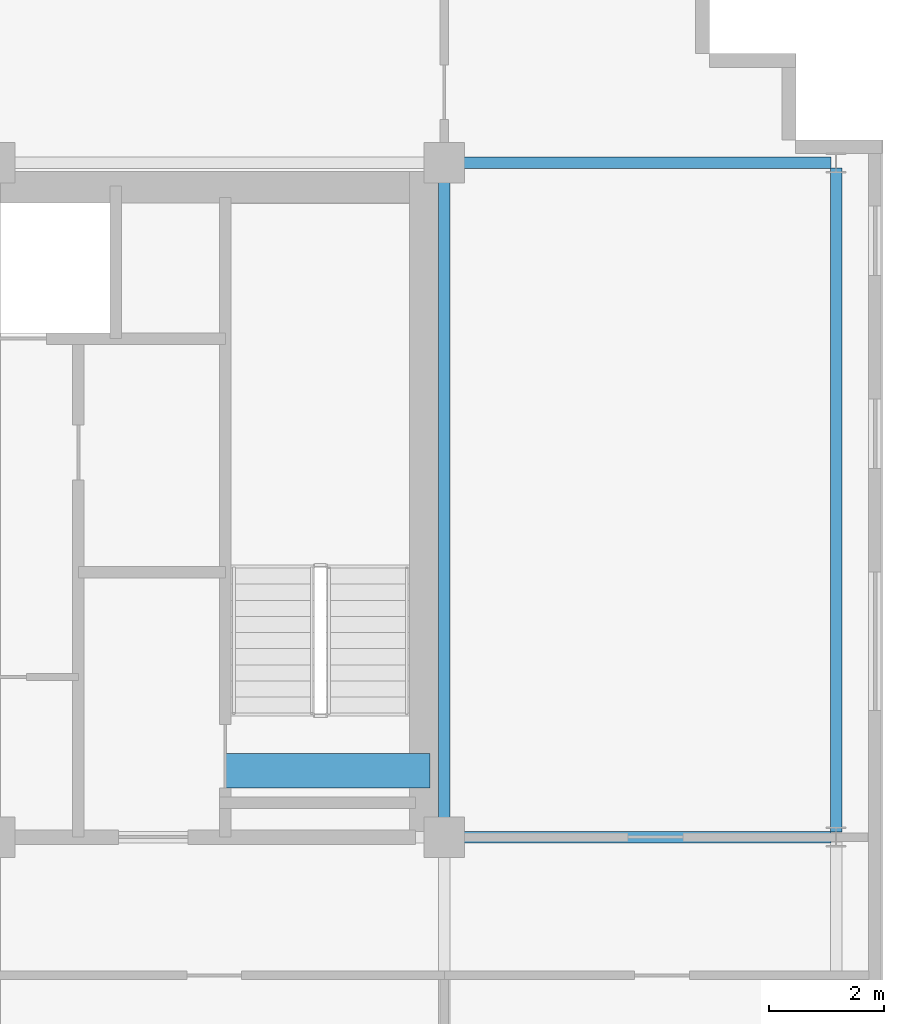
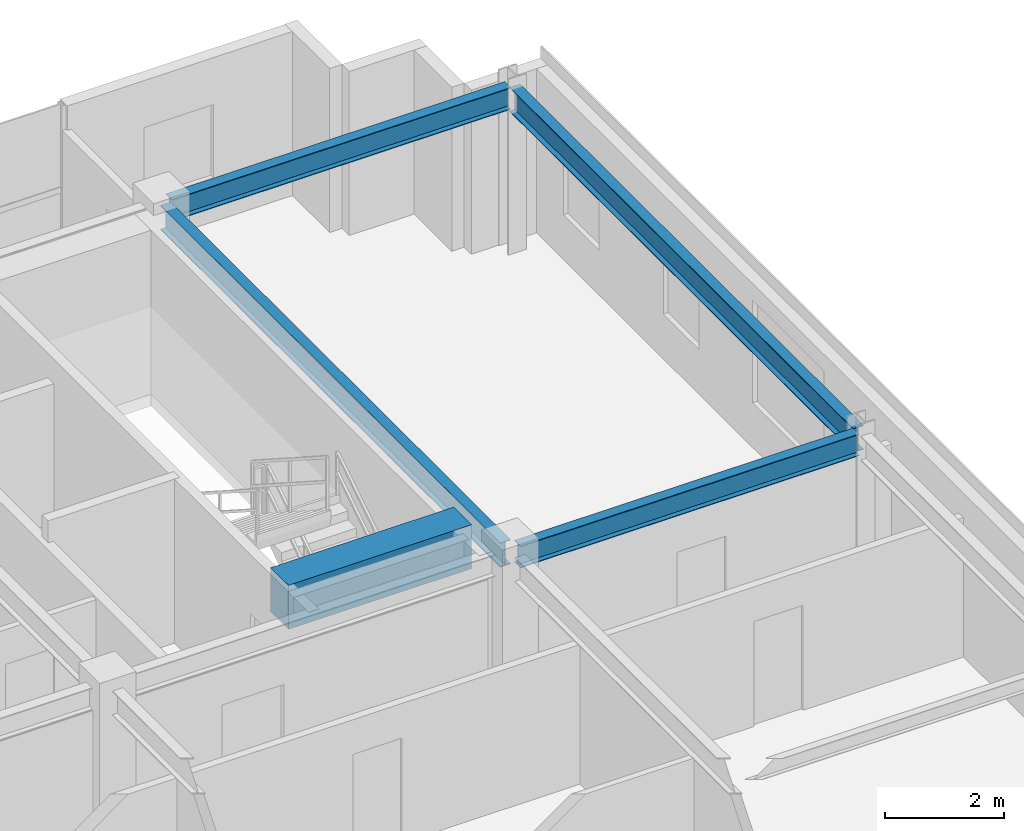
# One storey, part 17 of 27: 5 beams.
"""IFC4 building model written with IfcOpenShell, lengths in metres."""

import ifcopenshell
import ifcopenshell.guid

model = None  # the IFC model being written
_history = None  # IfcOwnerHistory: only IFC2X3 demands one
_inside = {}  # id of a spatial element -> (the spatial element, [elements in it])
_under = {}  # id of a project, library or spatial element -> (it, [spatial elements below it])
_declared = {}  # id of a project -> (the project, [libraries it declares])
_typed = {}  # id of a type object -> (the type object, [elements of that type])
_made_of = {}  # id of a material, layer set ... -> (it, [elements and type objects made of it])


def new_model(schema):
    """Start an empty IFC model of exactly this schema.

    Asked for "IFC4X3", IfcOpenShell would pick the latest addendum, in which some entities
    have other attributes; the version numbers below select the first issue.
    IFC2X3 requires an IfcOwnerHistory on every rooted entity: one is made here for all.
    """
    global model, _history
    if schema == "IFC4X3":
        model = ifcopenshell.file(schema_version=(4, 3, 0, 0))
    else:
        model = ifcopenshell.file(schema=schema)
    _inside.clear()
    _under.clear()
    _declared.clear()
    _typed.clear()
    _made_of.clear()
    _history = None
    if model.schema == "IFC2X3":
        org = make("IfcOrganization", Name="unknown")
        user = make(
            "IfcPersonAndOrganization",
            ThePerson=make("IfcPerson", FamilyName="unknown"),
            TheOrganization=org,
        )
        app = make(
            "IfcApplication",
            ApplicationDeveloper=org,
            Version="unknown",
            ApplicationFullName="unknown",
            ApplicationIdentifier="unknown",
        )
        _history = make(
            "IfcOwnerHistory",
            OwningUser=user,
            OwningApplication=app,
            ChangeAction="ADDED",
            CreationDate=0,
        )
    return model


def make(cls, **values):
    """One entity of the class cls with the attributes given. An attribute that is None is left unset."""
    return model.create_entity(
        cls, **{name: value for name, value in values.items() if value is not None}
    )


def rooted(cls, **values):
    """An entity with a GlobalId (a new one), such as an element, a storey or a relation."""
    return make(cls, GlobalId=ifcopenshell.guid.new(), OwnerHistory=_history, **values)


def si_unit(unit_type, name, prefix=None):
    """IfcSIUnit, for example si_unit("LENGTHUNIT", "METRE", prefix="MILLI")."""
    return make("IfcSIUnit", UnitType=unit_type, Prefix=prefix, Name=name)


def assignment(units):
    """IfcUnitAssignment: the units of a project."""
    return None if units is None else make("IfcUnitAssignment", Units=units)


def point(xyz):
    """IfcCartesianPoint."""
    return None if xyz is None else make("IfcCartesianPoint", Coordinates=xyz)


def direction(xyz):
    """IfcDirection."""
    return None if xyz is None else make("IfcDirection", DirectionRatios=xyz)


def frame(location, z_axis=None, x_axis=None):
    """IfcAxis2Placement3D, a coordinate frame: its origin and axes. An axis left out is left unset."""
    return make(
        "IfcAxis2Placement3D",
        Location=point(location),
        Axis=direction(z_axis),
        RefDirection=direction(x_axis),
    )


def frame_2d(location, x_axis=None):
    """IfcAxis2Placement2D, a coordinate frame in the plane: its origin and x axis."""
    return make(
        "IfcAxis2Placement2D", Location=point(location), RefDirection=direction(x_axis)
    )


def origin():
    """The frame at (0, 0, 0) with its axes left unset."""
    return frame((0.0, 0.0, 0.0))


def origin_2d():
    """The frame at (0, 0) in the plane with its x axis left unset."""
    return frame_2d((0.0, 0.0))


def place(relative_to, where):
    """IfcLocalPlacement: puts the frame where relative to a parent placement (None: the world)."""
    return make(
        "IfcLocalPlacement", PlacementRelTo=relative_to, RelativePlacement=where
    )


def context(
    kind, dimensions, precision=None, world=None, true_north=None, identifier=None
):
    """IfcGeometricRepresentationContext, for example the 3D "Model" context."""
    return make(
        "IfcGeometricRepresentationContext",
        ContextIdentifier=identifier,
        ContextType=kind,
        CoordinateSpaceDimension=dimensions,
        Precision=precision,
        WorldCoordinateSystem=world,
        TrueNorth=true_north,
    )


def subcontext(parent, identifier, kind, view, scale=None):
    """IfcGeometricRepresentationSubContext, for example "Body" below "Model"."""
    return make(
        "IfcGeometricRepresentationSubContext",
        ContextIdentifier=identifier,
        ContextType=kind,
        ParentContext=parent,
        TargetScale=scale,
        TargetView=view,
    )


def project(units=None, contexts=None):
    """IfcProject with its units and contexts."""
    return rooted(
        "IfcProject",
        Name="project",
        RepresentationContexts=contexts,
        UnitsInContext=assignment(units),
    )


def spatial(cls, under=None, at=None, **own):
    """A site, building, storey or space (cls), placed at a placement, below another one or the project."""
    s = rooted(cls, ObjectPlacement=at, **own)
    if under is not None:
        _under.setdefault(under.id(), (under, []))[1].append(s)
    return s


def profile(cls, at=None, kind="AREA", **sizes):
    """A parametric profile (cls). Its sizes go by their IFC names, for example OverallWidth=200.0."""
    return make(cls, ProfileType=kind, Position=at, **sizes)


def rectangle(**sizes):
    """IfcRectangleProfileDef."""
    return profile("IfcRectangleProfileDef", **sizes)


def i_section(**sizes):
    """IfcIShapeProfileDef."""
    return profile("IfcIShapeProfileDef", **sizes)


def extrude(swept, where, along, depth):
    """IfcExtrudedAreaSolid: the profile swept, set in the frame where, extruded along a direction by depth."""
    return make(
        "IfcExtrudedAreaSolid",
        SweptArea=swept,
        Position=where,
        ExtrudedDirection=direction(along),
        Depth=depth,
    )


def shape(context_of_items, identifier, shape_type, items):
    """IfcShapeRepresentation: the items that make up one representation, for example the "Body"."""
    return make(
        "IfcShapeRepresentation",
        ContextOfItems=context_of_items,
        RepresentationIdentifier=identifier,
        RepresentationType=shape_type,
        Items=items,
    )


def source(mapping_origin, context_of_items, identifier, shape_type, items):
    """IfcRepresentationMap: a shape defined once, which mapped items show again and again."""
    return make(
        "IfcRepresentationMap",
        MappingOrigin=mapping_origin,
        MappedRepresentation=shape(context_of_items, identifier, shape_type, items),
    )


def transform(
    local_origin,
    x_axis=None,
    y_axis=None,
    z_axis=None,
    scale=None,
    scale2=None,
    scale3=None,
    uniform=True,
):
    """IfcCartesianTransformationOperator3D, or its non-uniform kind. x_axis, y_axis, z_axis: its Axis1, 2, 3."""
    if uniform:
        return make(
            "IfcCartesianTransformationOperator3D",
            Axis1=direction(x_axis),
            Axis2=direction(y_axis),
            LocalOrigin=point(local_origin),
            Scale=scale,
            Axis3=direction(z_axis),
        )
    return make(
        "IfcCartesianTransformationOperator3DnonUniform",
        Axis1=direction(x_axis),
        Axis2=direction(y_axis),
        LocalOrigin=point(local_origin),
        Scale=scale,
        Axis3=direction(z_axis),
        Scale2=scale2,
        Scale3=scale3,
    )


def mapped(mapping_source, mapping_target):
    """IfcMappedItem: shows the shape of a source again, moved by a transform."""
    return make(
        "IfcMappedItem", MappingSource=mapping_source, MappingTarget=mapping_target
    )


def material(Name=None, Category=None):
    """IfcMaterial."""
    return make("IfcMaterial", Name=Name, Category=Category)


def material_profile(
    of_material, cross_section, Name=None, Category=None, Priority=None
):
    """IfcMaterialProfile: a cross section and its material."""
    return make(
        "IfcMaterialProfile",
        Name=Name,
        Material=of_material,
        Profile=cross_section,
        Priority=Priority,
        Category=Category,
    )


def profile_set(profiles, Name=None, composite=None):
    """IfcMaterialProfileSet."""
    return make(
        "IfcMaterialProfileSet",
        Name=Name,
        MaterialProfiles=profiles,
        CompositeProfile=composite,
    )


def made_of(thing, what):
    """Note that an element or type object is made of a material, layer set ...; save() writes the relation."""
    if what is not None:
        _made_of.setdefault(what.id(), (what, []))[1].append(thing)
    return thing


def type_object(cls, material=None, **own):
    """A type object (cls), such as IfcWallType, which elements share."""
    return made_of(rooted(cls, **own), material)


def element(
    cls,
    number,
    at=None,
    inside=None,
    cuts=None,
    type_object=None,
    material=None,
    context=None,
    identifier="Body",
    shape_type=None,
    held_by="IfcProductDefinitionShape",
    body=None,
    shapes=None,
    **own,
):
    """One element of the class cls, such as IfcWall. Its Tag is "e" and its number.

    at: its placement. inside: the storey or other place that contains it. cuts: it is an
    opening in that element (IfcRelVoidsElement). A single representation is given by context,
    identifier, shape_type and body (its items); several are given by shapes. held_by: the class
    of the entity that holds the representations. save() writes the other relations.
    """
    e = rooted(cls, Tag="e%d" % number, ObjectPlacement=at, **own)
    if body is not None:
        shapes = [shape(context, identifier, shape_type, body)]
    if shapes is not None:
        e.Representation = make(held_by, Representations=shapes)
    if inside is not None:
        _inside.setdefault(inside.id(), (inside, []))[1].append(e)
    if cuts is not None:
        rooted(
            "IfcRelVoidsElement", RelatingBuildingElement=cuts, RelatedOpeningElement=e
        )
    if type_object is not None:
        _typed.setdefault(type_object.id(), (type_object, []))[1].append(e)
    return made_of(e, material)


def aggregate(whole, parts):
    """IfcRelAggregates: a whole, such as a stair, and the parts it consists of."""
    return rooted("IfcRelAggregates", RelatingObject=whole, RelatedObjects=parts)


def save(model, path):
    """Write the relations noted so far, then the file.

    IfcRelAggregates (storeys below a building ...), IfcRelContainedInSpatialStructure (elements
    in a storey), IfcRelDefinesByType, IfcRelAssociatesMaterial and IfcRelDeclares: one each for
    every whole, place, type object, material and project.
    """
    for whole, parts in _under.values():
        aggregate(whole, parts)
    for where, things in _inside.values():
        rooted(
            "IfcRelContainedInSpatialStructure",
            RelatedElements=things,
            RelatingStructure=where,
        )
    for kind, things in _typed.values():
        rooted("IfcRelDefinesByType", RelatedObjects=things, RelatingType=kind)
    for what, things in _made_of.values():
        rooted("IfcRelAssociatesMaterial", RelatedObjects=things, RelatingMaterial=what)
    for by, libraries in _declared.values():
        rooted("IfcRelDeclares", RelatingContext=by, RelatedDefinitions=libraries)
    model.write(path)


model = new_model("IFC4")

# Units and contexts
model_context = context("Model", 3, precision=1e-05, world=origin(), true_north=direction((0.0, 1.0)))
body_context = subcontext(model_context, "Body", "Model", "MODEL_VIEW")
ifc_project = project(units=[si_unit("LENGTHUNIT", "METRE"), si_unit("AREAUNIT", "SQUARE_METRE"), si_unit("VOLUMEUNIT", "CUBIC_METRE"), si_unit("PLANEANGLEUNIT", "RADIAN"), si_unit("MASSUNIT", "GRAM", prefix="KILO")], contexts=[model_context])

# Site, building, storey
site_placement = place(None, origin())
site = spatial("IfcSite", under=ifc_project, at=site_placement, CompositionType="ELEMENT")
building_placement = place(site_placement, origin())
building = spatial("IfcBuilding", under=site, at=building_placement, Name="Trelvane Seafront Commons", CompositionType="ELEMENT")
storey_placement = place(building_placement, frame((0.0, 0.0, 233.699951171875)))
storey = spatial("IfcBuildingStorey", under=building, at=storey_placement, Name="L61", CompositionType="ELEMENT", Elevation=233.699951171875)

# Beams
ifc_material_1 = material(Name="Concrete C60/75", Category="concrete")
ifc_material_profile_1 = material_profile(ifc_material_1, rectangle(XDim=0.60009765625, YDim=0.89990234375, at=origin_2d()), Name="RC-600x900")
ifc_profile_set_1 = profile_set([ifc_material_profile_1], Name="Concrete C60/75")
beam_type_1 = type_object("IfcBeamType", Name="STR-LNT-RC600x900", PredefinedType="LINTEL", material=ifc_profile_set_1)
shared_shape_1 = source(origin(), body_context, "Body", "SweptSolid", [
    extrude(rectangle(XDim=0.60009765625, YDim=0.89990234375, at=origin_2d()), origin(), (0.0, 0.0, 1.0), 3.550048828125),
])
beam_1_placement = place(storey_placement, frame((55.0, 34.550048828125, 2.91015625), z_axis=(1.0, 0.0, 0.0), x_axis=(0.0, 1.0, 0.0)))
element("IfcBeam", 1, at=beam_1_placement, inside=storey, type_object=beam_type_1, Name="L61 Core Coupling Lintel Beam CB-66", PredefinedType="LINTEL", context=body_context, shape_type="MappedRepresentation", body=[
    mapped(shared_shape_1, transform((0.0, 0.0, 0.0), x_axis=(1.0, 0.0, 0.0), y_axis=(0.0, 1.0, 0.0), z_axis=(0.0, 0.0, 1.0), scale=1.0)),
])
ifc_material_2 = material(Name="Steel SM355 (S355)", Category="steel")
ifc_material_profile_2 = material_profile(ifc_material_2, i_section(OverallWidth=0.199951171875, OverallDepth=0.5, WebThickness=0.010009765625, FlangeThickness=0.01611328125, at=origin_2d()), Name="H-500x200x10x16")
ifc_profile_set_2 = profile_set([ifc_material_profile_2], Name="Steel SM355 (S355)")
beam_type_2 = type_object("IfcBeamType", Name="STR-BM-H500", PredefinedType="BEAM", material=ifc_profile_set_2)
shared_shape_2 = source(origin(), body_context, "Body", "SweptSolid", [
    extrude(i_section(OverallWidth=0.199951171875, OverallDepth=0.5, WebThickness=0.010009765625, FlangeThickness=0.01611328125, at=origin_2d()), origin(), (0.0, 0.0, 1.0), 11.39990234375),
])
beam_2_placement = place(storey_placement, frame((58.800048828125, 33.550048828125, 3.110107421875), z_axis=(0.0, 1.0, 0.0), x_axis=(-1.0, 0.0, 0.0)))
element("IfcBeam", 2, at=beam_2_placement, inside=storey, type_object=beam_type_2, Name="L61 Primary Girder G-49", PredefinedType="BEAM", context=body_context, shape_type="MappedRepresentation", body=[
    mapped(shared_shape_2, transform((0.0, 0.0, 0.0), x_axis=(1.0, 0.0, 0.0), y_axis=(0.0, 1.0, 0.0), z_axis=(0.0, 0.0, 1.0), scale=1.0)),
])
ifc_material_profile_3 = material_profile(ifc_material_2, i_section(OverallWidth=0.199951171875, OverallDepth=0.449951171875, WebThickness=0.009033203125, FlangeThickness=0.013916015625, at=origin_2d()), Name="H-450x200x9x14")
ifc_profile_set_3 = profile_set([ifc_material_profile_3], Name="Steel SM355 (S355)")
beam_type_3 = type_object("IfcBeamType", Name="STR-SPD-H450", PredefinedType="SPANDREL", material=ifc_profile_set_3)
shared_shape_3 = source(origin(), body_context, "Body", "SweptSolid", [
    extrude(i_section(OverallWidth=0.199951171875, OverallDepth=0.449951171875, WebThickness=0.009033203125, FlangeThickness=0.013916015625, at=origin_2d()), origin(), (0.0, 0.0, 1.0), 6.5625),
])
for number, where, z_axis, x_axis, name in (
    (3, (58.949951171875, 33.39990234375, 3.135009765625), (1.0, 0.0, 0.0), (0.0, 1.0, 0.0), "L61 Primary Girder G-21"),
    (4, (58.949951171875, 45.10009765625, 3.135009765625), (1.0, 0.0, 0.0), (0.0, 1.0, 0.0), "L61 Primary Girder G-28"),
):
    element("IfcBeam", number, at=place(storey_placement, frame(where, z_axis=z_axis, x_axis=x_axis)), inside=storey, type_object=beam_type_3, Name=name, PredefinedType="SPANDREL", context=body_context, shape_type="MappedRepresentation", body=[
        mapped(shared_shape_3, transform((0.0, 0.0, 0.0), x_axis=(1.0, 0.0, 0.0), y_axis=(0.0, 1.0, 0.0), z_axis=(0.0, 0.0, 1.0), scale=1.0)),
    ])
shared_shape_4 = source(origin(), body_context, "Body", "SweptSolid", [
    extrude(i_section(OverallWidth=0.199951171875, OverallDepth=0.5, WebThickness=0.010009765625, FlangeThickness=0.01611328125, at=origin_2d()), origin(), (0.0, 0.0, 1.0), 11.52490234375),
])
beam_3_placement = place(storey_placement, frame((65.60009765625, 33.487548828125, 3.110107421875), z_axis=(0.0, 1.0, 0.0), x_axis=(-1.0, 0.0, 0.0)))
element("IfcBeam", 5, at=beam_3_placement, inside=storey, type_object=beam_type_2, Name="L61 Primary Girder G-52", PredefinedType="BEAM", context=body_context, shape_type="MappedRepresentation", body=[
    mapped(shared_shape_4, transform((0.0, 0.0, 0.0), x_axis=(1.0, 0.0, 0.0), y_axis=(0.0, 1.0, 0.0), z_axis=(0.0, 0.0, 1.0), scale=1.0)),
])

save(model, "model.ifc")
